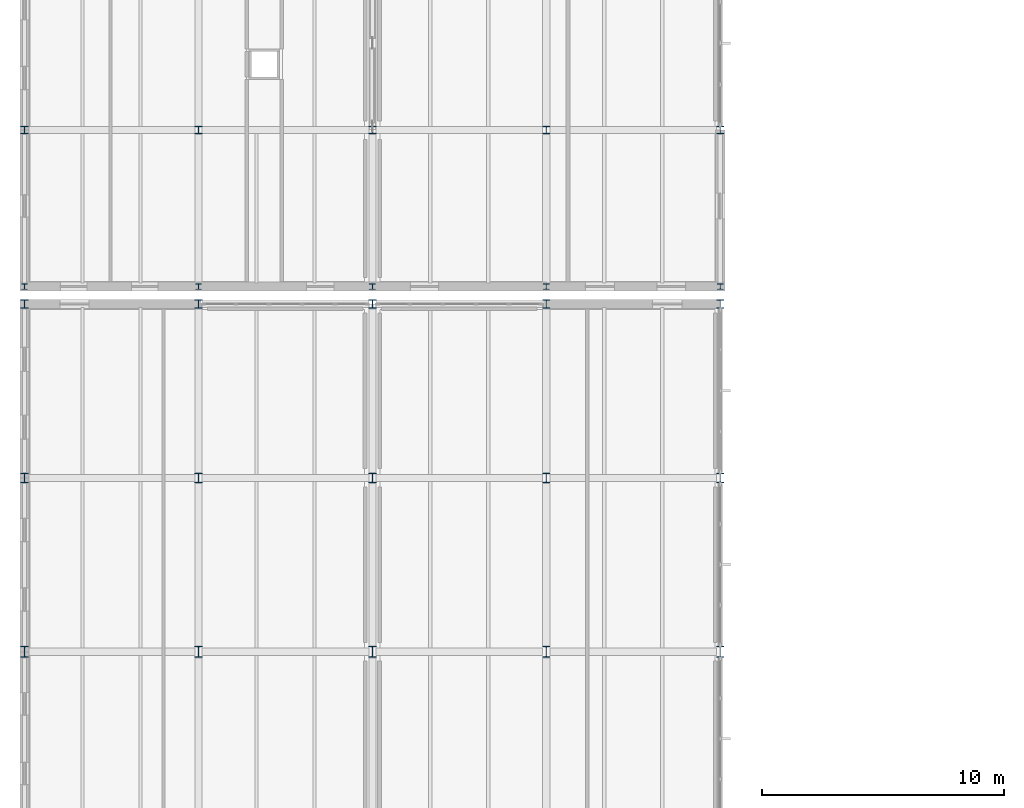
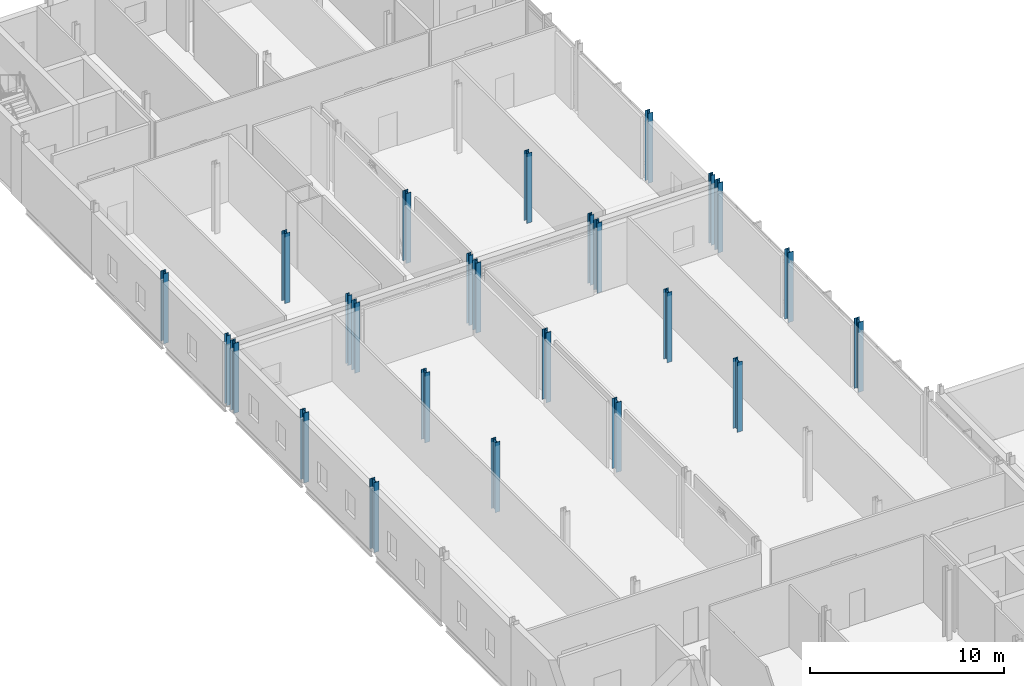
# One storey, part 4 of 72: 25 columns.
"""IFC4 building model written with IfcOpenShell, lengths in metres."""

from ifc_helpers import new_model, si_unit, direction, frame, origin, origin_2d, place, context, subcontext, project, spatial, i_section, extrude, material, material_profile, profile_set, type_object, element, save


model = new_model("IFC4")

# Units and contexts
model_context = context("Model", 3, precision=1e-05, world=origin(), true_north=direction((0.0, 1.0)))
body_context = subcontext(model_context, "Body", "Model", "MODEL_VIEW")
ifc_project = project(units=[si_unit("LENGTHUNIT", "METRE"), si_unit("AREAUNIT", "SQUARE_METRE"), si_unit("VOLUMEUNIT", "CUBIC_METRE"), si_unit("PLANEANGLEUNIT", "RADIAN"), si_unit("MASSUNIT", "GRAM", prefix="KILO")], contexts=[model_context])

# Site, building, storey
site_placement = place(None, origin())
site = spatial("IfcSite", under=ifc_project, at=site_placement, CompositionType="ELEMENT")
building_placement = place(site_placement, origin())
building = spatial("IfcBuilding", under=site, at=building_placement, Name="Zarrinpeak Specialist Clinic", CompositionType="ELEMENT")
storey_placement = place(building_placement, frame((0.0, 0.0, 9.60009765625)))
storey = spatial("IfcBuildingStorey", under=building, at=storey_placement, Name="L02", CompositionType="ELEMENT", Elevation=9.60009765625)

# Columns
ifc_material = material(Name="Steel S355", Category="steel")
ifc_material_profile_1 = material_profile(ifc_material, i_section(OverallWidth=0.239990234375, OverallDepth=0.239990234375, WebThickness=0.010009765625, FlangeThickness=0.01708984375, FilletRadius=0.02099609375, at=origin_2d()), Name="HEB 240")
ifc_profile_set_1 = profile_set([ifc_material_profile_1], Name="Steel S355")
column_type_1 = type_object("IfcColumnType", Name="COL-HEB240", PredefinedType="COLUMN", material=ifc_profile_set_1)
for number, where, z_axis, x_axis, name in (
    (1, (0.0, 51.1201171875, 0.0), (0.0, 0.0, 1.0), (1.0, 0.0, 0.0), "L02 Structural Column COL-L02-007"),
    (2, (7.199951171875, 51.1201171875, 0.0), (0.0, 0.0, 1.0), (1.0, 0.0, 0.0), "L02 Structural Column COL-L02-020"),
    (3, (14.39990234375, 51.1201171875, 0.0), (0.0, 0.0, 1.0), (1.0, 0.0, 0.0), "L02 Structural Column COL-L02-034"),
    (4, (21.60009765625, 51.1201171875, 0.0), (0.0, 0.0, 1.0), (1.0, 0.0, 0.0), "L02 Structural Column COL-L02-048"),
    (5, (28.800048828125, 51.1201171875, 0.0), (0.0, 0.0, 1.0), (1.0, 0.0, 0.0), "L02 Structural Column COL-L02-060"),
):
    element("IfcColumn", number, at=place(storey_placement, frame(where, z_axis=z_axis, x_axis=x_axis)), inside=storey, type_object=column_type_1, Name=name, PredefinedType="COLUMN", context=body_context, shape_type="SweptSolid", body=[
        extrude(i_section(OverallWidth=0.239990234375, OverallDepth=0.239990234375, WebThickness=0.010009765625, FlangeThickness=0.01708984375, FilletRadius=0.02099609375, at=origin_2d()), origin(), (0.0, 0.0, 1.0), 4.39990234375),
    ])
ifc_material_profile_2 = material_profile(ifc_material, i_section(OverallWidth=0.300048828125, OverallDepth=0.320068359375, WebThickness=0.011474609375, FlangeThickness=0.0205078125, FilletRadius=0.027099609375, at=origin_2d()), Name="HEB 320")
ifc_profile_set_2 = profile_set([ifc_material_profile_2], Name="Steel S355")
column_type_2 = type_object("IfcColumnType", Name="COL-HEB320", PredefinedType="COLUMN", material=ifc_profile_set_2)
for number, where, z_axis, x_axis, name in (
    (6, (0.0, 57.60009765625, 0.0), (0.0, 0.0, 1.0), (1.0, 0.0, 0.0), "L02 Structural Column COL-L02-008"),
    (7, (7.199951171875, 57.60009765625, 0.0), (0.0, 0.0, 1.0), (1.0, 0.0, 0.0), "L02 Structural Column COL-L02-021"),
    (8, (14.39990234375, 57.60009765625, 0.0), (0.0, 0.0, 1.0), (1.0, 0.0, 0.0), "L02 Structural Column COL-L02-035"),
    (9, (21.60009765625, 57.60009765625, 0.0), (0.0, 0.0, 1.0), (1.0, 0.0, 0.0), "L02 Structural Column COL-L02-049"),
    (10, (28.800048828125, 57.60009765625, 0.0), (0.0, 0.0, 1.0), (1.0, 0.0, 0.0), "L02 Structural Column COL-L02-061"),
):
    element("IfcColumn", number, at=place(storey_placement, frame(where, z_axis=z_axis, x_axis=x_axis)), inside=storey, type_object=column_type_2, Name=name, PredefinedType="COLUMN", context=body_context, shape_type="SweptSolid", body=[
        extrude(i_section(OverallWidth=0.300048828125, OverallDepth=0.320068359375, WebThickness=0.011474609375, FlangeThickness=0.0205078125, FilletRadius=0.027099609375, at=origin_2d()), origin(), (0.0, 0.0, 1.0), 4.39990234375),
    ])
ifc_material_profile_3 = material_profile(ifc_material, i_section(OverallWidth=0.300048828125, OverallDepth=0.360107421875, WebThickness=0.012451171875, FlangeThickness=0.0224609375, FilletRadius=0.027099609375, at=origin_2d()), Name="HEB 360")
ifc_profile_set_3 = profile_set([ifc_material_profile_3], Name="Steel S355")
column_type_3 = type_object("IfcColumnType", Name="COL-HEB360", PredefinedType="COLUMN", material=ifc_profile_set_3)
for number, where, z_axis, x_axis, name in (
    (11, (0.0, 50.39990234375, 0.0), (0.0, 0.0, 1.0), (1.0, 0.0, 0.0), "L02 Structural Column COL-L02-006"),
    (12, (7.199951171875, 50.39990234375, 0.0), (0.0, 0.0, 1.0), (1.0, 0.0, 0.0), "L02 Structural Column COL-L02-019"),
    (13, (14.39990234375, 50.39990234375, 0.0), (0.0, 0.0, 1.0), (1.0, 0.0, 0.0), "L02 Structural Column COL-L02-033"),
    (14, (21.60009765625, 50.39990234375, 0.0), (0.0, 0.0, 1.0), (1.0, 0.0, 0.0), "L02 Structural Column COL-L02-047"),
    (15, (28.800048828125, 50.39990234375, 0.0), (0.0, 0.0, 1.0), (1.0, 0.0, 0.0), "L02 Structural Column COL-L02-059"),
):
    element("IfcColumn", number, at=place(storey_placement, frame(where, z_axis=z_axis, x_axis=x_axis)), inside=storey, type_object=column_type_3, Name=name, PredefinedType="COLUMN", context=body_context, shape_type="SweptSolid", body=[
        extrude(i_section(OverallWidth=0.300048828125, OverallDepth=0.360107421875, WebThickness=0.012451171875, FlangeThickness=0.0224609375, FilletRadius=0.027099609375, at=origin_2d()), origin(), (0.0, 0.0, 1.0), 4.39990234375),
    ])
ifc_material_profile_4 = material_profile(ifc_material, i_section(OverallWidth=0.300048828125, OverallDepth=0.39990234375, WebThickness=0.013427734375, FlangeThickness=0.02392578125, FilletRadius=0.027099609375, at=origin_2d()), Name="HEB 400")
ifc_profile_set_4 = profile_set([ifc_material_profile_4], Name="Steel S355")
column_type_4 = type_object("IfcColumnType", Name="COL-HEB400", PredefinedType="COLUMN", material=ifc_profile_set_4)
for number, where, z_axis, x_axis, name in (
    (16, (0.0, 43.199951171875, 0.0), (0.0, 0.0, 1.0), (1.0, 0.0, 0.0), "L02 Structural Column COL-L02-005"),
    (17, (7.199951171875, 43.199951171875, 0.0), (0.0, 0.0, 1.0), (1.0, 0.0, 0.0), "L02 Structural Column COL-L02-018"),
    (18, (14.39990234375, 43.199951171875, 0.0), (0.0, 0.0, 1.0), (1.0, 0.0, 0.0), "L02 Structural Column COL-L02-032"),
    (19, (21.60009765625, 43.199951171875, 0.0), (0.0, 0.0, 1.0), (1.0, 0.0, 0.0), "L02 Structural Column COL-L02-046"),
    (20, (28.800048828125, 43.199951171875, 0.0), (0.0, 0.0, 1.0), (1.0, 0.0, 0.0), "L02 Structural Column COL-L02-058"),
):
    element("IfcColumn", number, at=place(storey_placement, frame(where, z_axis=z_axis, x_axis=x_axis)), inside=storey, type_object=column_type_4, Name=name, PredefinedType="COLUMN", context=body_context, shape_type="SweptSolid", body=[
        extrude(i_section(OverallWidth=0.300048828125, OverallDepth=0.39990234375, WebThickness=0.013427734375, FlangeThickness=0.02392578125, FilletRadius=0.027099609375, at=origin_2d()), origin(), (0.0, 0.0, 1.0), 4.39990234375),
    ])
ifc_material_profile_5 = material_profile(ifc_material, i_section(OverallWidth=0.300048828125, OverallDepth=0.449951171875, WebThickness=0.013916015625, FlangeThickness=0.02587890625, FilletRadius=0.027099609375, at=origin_2d()), Name="HEB 450")
ifc_profile_set_5 = profile_set([ifc_material_profile_5], Name="Steel S355")
column_type_5 = type_object("IfcColumnType", Name="COL-HEB450", PredefinedType="COLUMN", material=ifc_profile_set_5)
for number, where, z_axis, x_axis, name in (
    (21, (0.0, 36.0, 0.0), (0.0, 0.0, 1.0), (1.0, 0.0, 0.0), "L02 Structural Column COL-L02-004"),
    (22, (7.199951171875, 36.0, 0.0), (0.0, 0.0, 1.0), (1.0, 0.0, 0.0), "L02 Structural Column COL-L02-017"),
    (23, (14.39990234375, 36.0, 0.0), (0.0, 0.0, 1.0), (1.0, 0.0, 0.0), "L02 Structural Column COL-L02-031"),
    (24, (21.60009765625, 36.0, 0.0), (0.0, 0.0, 1.0), (1.0, 0.0, 0.0), "L02 Structural Column COL-L02-045"),
    (25, (28.800048828125, 36.0, 0.0), (0.0, 0.0, 1.0), (1.0, 0.0, 0.0), "L02 Structural Column COL-L02-057"),
):
    element("IfcColumn", number, at=place(storey_placement, frame(where, z_axis=z_axis, x_axis=x_axis)), inside=storey, type_object=column_type_5, Name=name, PredefinedType="COLUMN", context=body_context, shape_type="SweptSolid", body=[
        extrude(i_section(OverallWidth=0.300048828125, OverallDepth=0.449951171875, WebThickness=0.013916015625, FlangeThickness=0.02587890625, FilletRadius=0.027099609375, at=origin_2d()), origin(), (0.0, 0.0, 1.0), 4.39990234375),
    ])

save(model, "model.ifc")
